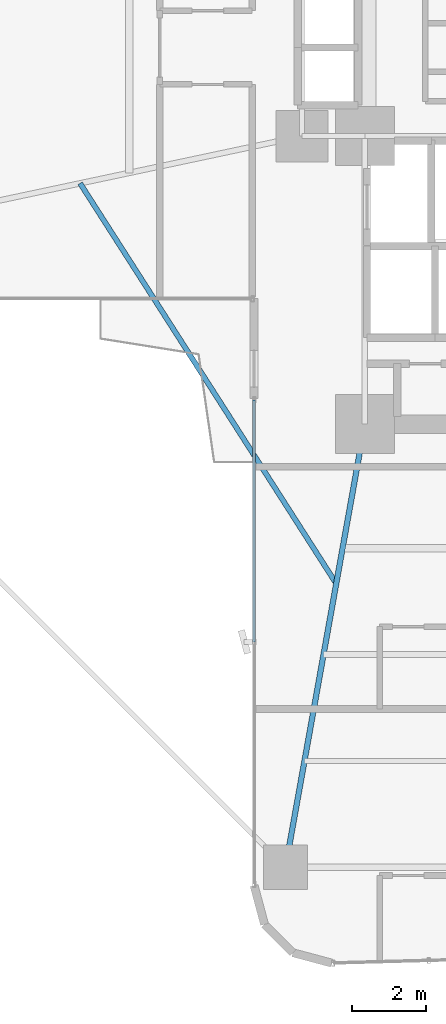
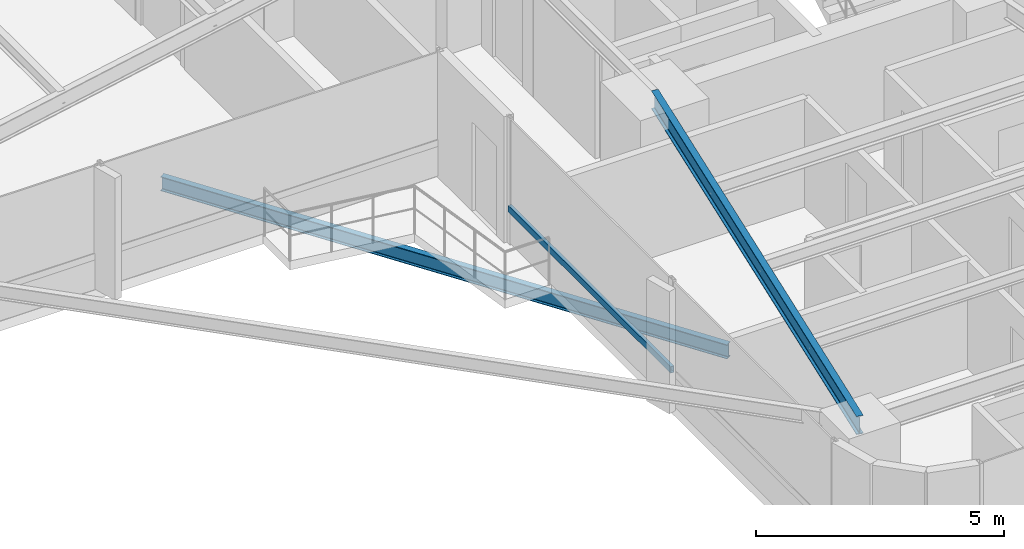
# One storey, part 3 of 25: 2 beams, 1 member, 1 element without a shape of its own.
"""IFC4 building model written with IfcOpenShell, lengths in metres."""

from ifc_helpers import new_model, si_unit, direction, frame, origin, origin_2d, place, context, subcontext, project, spatial, hollow_rectangle, i_section, extrude, source, transform, mapped, material, material_profile, profile_set, type_object, element, aggregate, save


model = new_model("IFC4")

# Units and contexts
model_context = context("Model", 3, precision=1e-05, world=origin(), true_north=direction((0.0, 1.0)))
body_context = subcontext(model_context, "Body", "Model", "MODEL_VIEW")
ifc_project = project(units=[si_unit("LENGTHUNIT", "METRE"), si_unit("AREAUNIT", "SQUARE_METRE"), si_unit("VOLUMEUNIT", "CUBIC_METRE"), si_unit("PLANEANGLEUNIT", "RADIAN"), si_unit("MASSUNIT", "GRAM", prefix="KILO")], contexts=[model_context])

# Site, building, storey
site_placement = place(None, origin())
site = spatial("IfcSite", under=ifc_project, at=site_placement, CompositionType="ELEMENT")
building_placement = place(site_placement, origin())
building = spatial("IfcBuilding", under=site, at=building_placement, Name="Sahyath Konkavel Grand Hotel", CompositionType="ELEMENT")
storey_placement = place(building_placement, frame((0.0, 0.0, 64.449951171875)))
storey = spatial("IfcBuildingStorey", under=building, at=storey_placement, Name="L17", CompositionType="ELEMENT", Elevation=64.449951171875)

# Beam
ifc_material_1 = material(Name="Steel E350", Category="steel")
ifc_material_profile_1 = material_profile(ifc_material_1, i_section(OverallWidth=0.14990234375, OverallDepth=0.449951171875, WebThickness=0.009521484375, FlangeThickness=0.017333984375, FilletRadius=0.014892578125, at=origin_2d()), Name="ISMB 450")
ifc_profile_set_1 = profile_set([ifc_material_profile_1], Name="Steel E350")
beam_type_1 = type_object("IfcBeamType", Name="BM-ISMB450", PredefinedType="BEAM", material=ifc_profile_set_1)
shared_shape_1 = source(origin(), body_context, "Body", "SweptSolid", [
    extrude(i_section(OverallWidth=0.14990234375, OverallDepth=0.449951171875, WebThickness=0.009521484375, FlangeThickness=0.017333984375, FilletRadius=0.014892578125, at=origin_2d()), origin(), (0.0, 0.0, 1.0), 12.191162109375),
])
beam_1_placement = place(storey_placement, frame((-3.800048828125, -10.199951171875, 2.885009765625), z_axis=(-0.176350650305, -0.984327409014, 0.0), x_axis=(0.984327409014, -0.176350650305, 0.0)))
element("IfcBeam", 1, at=beam_1_placement, inside=storey, type_object=beam_type_1, Name="L17 Cruciform Radial Girder SA", PredefinedType="BEAM", context=body_context, shape_type="MappedRepresentation", body=[
    mapped(shared_shape_1, transform((0.0, 0.0, 0.0), scale=1.0)),
])

# Curtain wall, member
ifc_material_2 = material(Name="Anodised Bronze Aluminium & Low-E Glazing", Category="aluminium")
curtain_wall_type = type_object("IfcCurtainWallType", Name="CW-ZONE1", PredefinedType="NOTDEFINED", material=ifc_material_2)
curtain_wall_placement = place(storey_placement, origin())
curtain_wall = element("IfcCurtainWall", 2, at=curtain_wall_placement, inside=storey, type_object=curtain_wall_type, Name="L17 Unitised Curtain Wall F24", PredefinedType="NOTDEFINED")
ifc_material_3 = material(Name="Anodised Bronze Aluminium", Category="aluminium")
ifc_material_profile_2 = material_profile(ifc_material_3, hollow_rectangle(XDim=0.080078125, YDim=0.159912109375, WallThickness=0.006103515625, at=origin_2d()), Name="RHS 160x80x6")
ifc_profile_set_2 = profile_set([ifc_material_profile_2], Name="Anodised Bronze Aluminium")
member_type = type_object("IfcMemberType", Name="CW-TRN-160", PredefinedType="USERDEFINED", material=ifc_profile_set_2)
shared_shape_2 = source(origin(), body_context, "Body", "SweptSolid", [
    extrude(hollow_rectangle(XDim=0.080078125, YDim=0.159912109375, WallThickness=0.006103515625, at=origin_2d()), origin(), (0.0, 0.0, 1.0), 6.56005859375),
])
member_placement = place(storey_placement, frame((-6.800048828125, -9.5400390625, 0.85009765625), z_axis=(0.0, -1.0, 0.0), x_axis=(1.0, 0.0, 0.0)))
member = element("IfcMember", 3, at=member_placement, type_object=member_type, Name="L17 Curtain Wall Transom F24-0-spandrel", ObjectType="TRANSOM", PredefinedType="USERDEFINED", context=body_context, shape_type="MappedRepresentation", body=[
    mapped(shared_shape_2, transform((0.0, 0.0, 0.0), scale=1.0)),
])
aggregate(curtain_wall, [member])

# Beam
ifc_material_profile_3 = material_profile(ifc_material_1, i_section(OverallWidth=0.139892578125, OverallDepth=0.35009765625, WebThickness=0.008056640625, FlangeThickness=0.01416015625, FilletRadius=0.013916015625, at=origin_2d()), Name="ISMB 350")
ifc_profile_set_3 = profile_set([ifc_material_profile_3], Name="Steel E350")
beam_type_2 = type_object("IfcBeamType", Name="BM-BALC-CANT", PredefinedType="BEAM", material=ifc_profile_set_3)
shared_shape_3 = source(origin(), body_context, "Body", "SweptSolid", [
    extrude(i_section(OverallWidth=0.139892578125, OverallDepth=0.35009765625, WebThickness=0.008056640625, FlangeThickness=0.01416015625, FilletRadius=0.013916015625, at=origin_2d()), origin(), (0.0, 0.0, 1.0), 12.871826171875),
])
beam_2_placement = place(storey_placement, frame((-11.511962890625, -3.677978515625, -0.4150390625), z_axis=(0.539003102535, -0.842303778608, 0.0), x_axis=(0.842303778608, 0.539003102535, 0.0)))
element("IfcBeam", 4, at=beam_2_placement, inside=storey, type_object=beam_type_2, Name="L17 Balcony Cantilever Support Beam SW", PredefinedType="BEAM", context=body_context, shape_type="MappedRepresentation", body=[
    mapped(shared_shape_3, transform((0.0, 0.0, 0.0), scale=1.0)),
])

save(model, "model.ifc")
